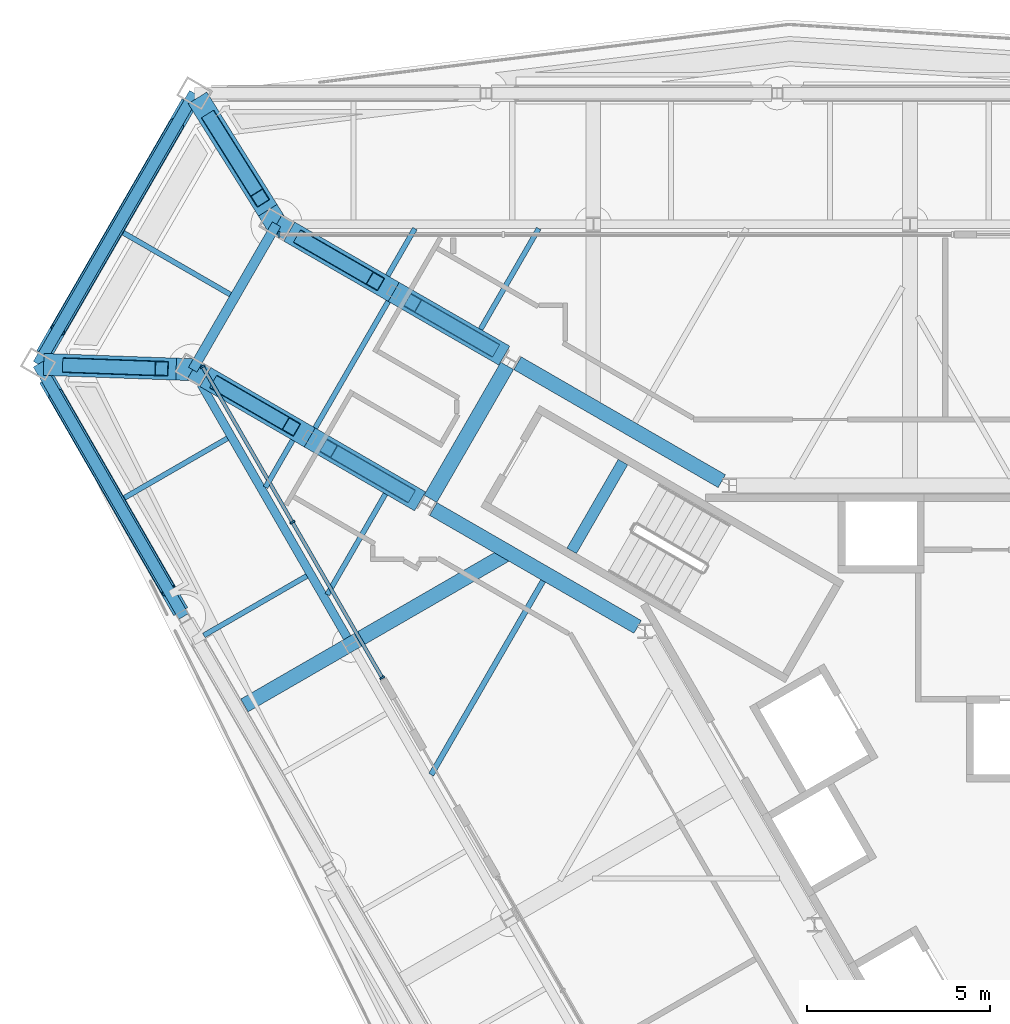
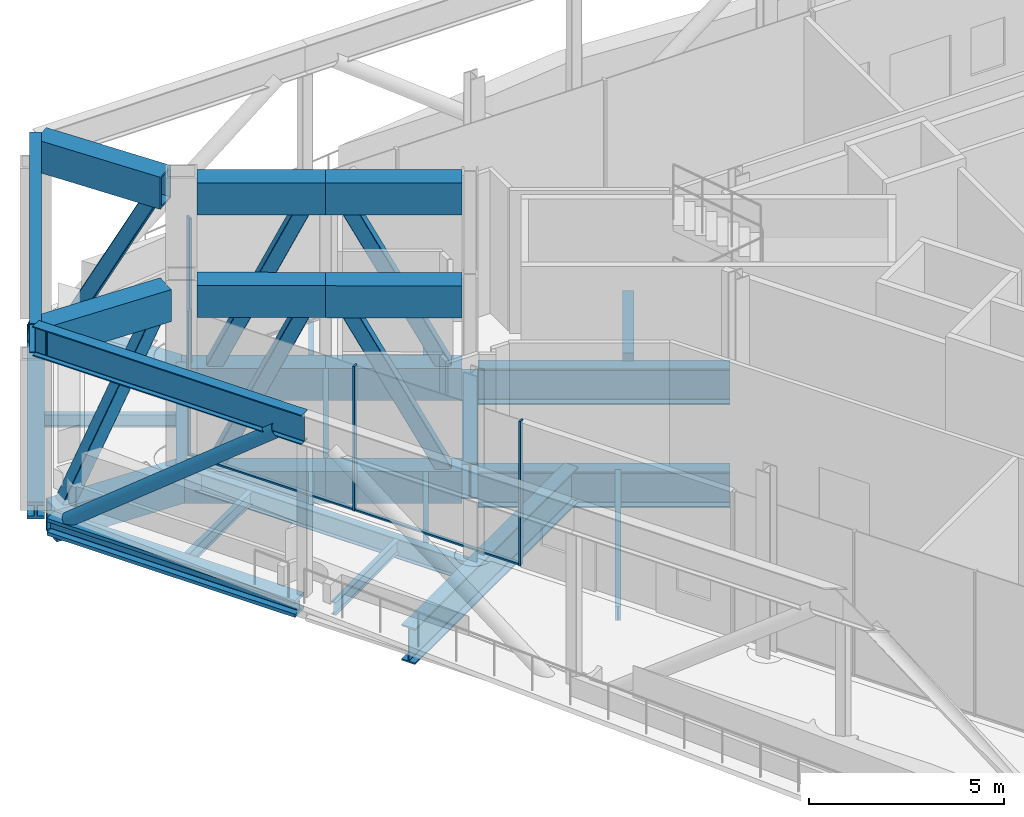
# One storey, part 9 of 24: 32 beams, 14 members, 2 elements without a shape of their own.
"""IFC4 building model written with IfcOpenShell, lengths in metres."""

from ifc_helpers import new_model, si_unit, direction, frame, origin, origin_2d, place, context, subcontext, project, spatial, rectangle, hollow_rectangle, hollow_circle, i_section, extrude, material, material_profile, profile_set, type_object, element, aggregate, save


model = new_model("IFC4")

# Units and contexts
model_context = context("Model", 3, precision=1e-05, world=origin(), true_north=direction((0.0, 1.0)))
body_context = subcontext(model_context, "Body", "Model", "MODEL_VIEW")
ifc_project = project(units=[si_unit("LENGTHUNIT", "METRE"), si_unit("AREAUNIT", "SQUARE_METRE"), si_unit("VOLUMEUNIT", "CUBIC_METRE"), si_unit("PLANEANGLEUNIT", "RADIAN"), si_unit("MASSUNIT", "GRAM", prefix="KILO")], contexts=[model_context])

# Site, building, storey
site_placement = place(None, origin())
site = spatial("IfcSite", under=ifc_project, at=site_placement, CompositionType="ELEMENT")
building_placement = place(site_placement, origin())
building = spatial("IfcBuilding", under=site, at=building_placement, Name="Verrane Prism Tower", CompositionType="ELEMENT")
storey_placement = place(building_placement, frame((0.0, 0.0, 200.60009765625)))
storey = spatial("IfcBuildingStorey", under=building, at=storey_placement, Name="L50", CompositionType="ELEMENT", Elevation=200.60009765625)

# Beams
ifc_material_1 = material(Name="Steel A992", Category="steel")
ifc_material_profile_1 = material_profile(ifc_material_1, i_section(OverallWidth=0.44189453125, OverallDepth=0.53076171875, WebThickness=0.06591796875, FlangeThickness=0.105712890625, FilletRadius=0.01513671875, at=origin_2d()), Name="W14x605")
ifc_profile_set_1 = profile_set([ifc_material_profile_1], Name="Steel A992")
beam_type_1 = type_object("IfcBeamType", Name="Belt truss chord W14x605", PredefinedType="BEAM", material=ifc_profile_set_1)
beam_1_placement = place(storey_placement, frame((-27.8994140625, 10.90966796875, -0.4248046875), z_axis=(0.49925671133, -0.866454116611, 0.0), x_axis=(0.866454116611, 0.49925671133, 0.0)))
element("IfcBeam", 1, at=beam_1_placement, inside=storey, type_object=beam_type_1, Name="Belt truss chord L50", PredefinedType="BEAM", context=body_context, shape_type="SweptSolid", body=[
    extrude(i_section(OverallWidth=0.44189453125, OverallDepth=0.53076171875, WebThickness=0.06591796875, FlangeThickness=0.105712890625, FilletRadius=0.01513671875, at=origin_2d()), origin(), (0.0, 0.0, 1.0), 7.337646484375),
])
beam_2_placement = place(storey_placement, frame((-24.010009765625, 18.4501953125, -0.4248046875), z_axis=(-0.499772118917, -0.86615693102, 0.0), x_axis=(0.86615693102, -0.499772118917, 0.0)))
element("IfcBeam", 2, at=beam_2_placement, inside=storey, type_object=beam_type_1, Name="Belt truss chord L50", PredefinedType="BEAM", context=body_context, shape_type="SweptSolid", body=[
    extrude(i_section(OverallWidth=0.44189453125, OverallDepth=0.53076171875, WebThickness=0.06591796875, FlangeThickness=0.105712890625, FilletRadius=0.01513671875, at=origin_2d()), origin(), (0.0, 0.0, 1.0), 7.943603515625),
])
ifc_material_2 = material(Name="Steel A992", Category="steel")
ifc_material_profile_2 = material_profile(ifc_material_2, i_section(OverallWidth=0.307373046875, OverallDepth=0.927001953125, WebThickness=0.01953125, FlangeThickness=0.031982421875, FilletRadius=0.01904296875, at=origin_2d()), Name="W36x194")
ifc_profile_set_2 = profile_set([ifc_material_profile_2], Name="Steel A992")
beam_type_2 = type_object("IfcBeamType", Name="Belt truss chord W36x194", PredefinedType="BEAM", material=ifc_profile_set_2)
beam_3_placement = place(storey_placement, frame((-28.1298828125, 11.31005859375, 5.176513671875), z_axis=(0.4992404173, -0.866463505137, 0.0), x_axis=(0.866463505137, 0.4992404173, 0.0)))
element("IfcBeam", 3, at=beam_3_placement, inside=storey, type_object=beam_type_2, Name="Belt truss chord L50", PredefinedType="BEAM", context=body_context, shape_type="SweptSolid", body=[
    extrude(i_section(OverallWidth=0.307373046875, OverallDepth=0.927001953125, WebThickness=0.01953125, FlangeThickness=0.031982421875, FilletRadius=0.01904296875, at=origin_2d()), origin(), (0.0, 0.0, 1.0), 7.951904296875),
])
beam_4_placement = place(storey_placement, frame((-23.860107421875, 18.7099609375, 5.176513671875), z_axis=(-0.499775228782, -0.866155136622, 0.0), x_axis=(0.866155136622, -0.499775228782, 0.0)))
element("IfcBeam", 4, at=beam_4_placement, inside=storey, type_object=beam_type_2, Name="Belt truss chord L50", PredefinedType="BEAM", context=body_context, shape_type="SweptSolid", body=[
    extrude(i_section(OverallWidth=0.307373046875, OverallDepth=0.927001953125, WebThickness=0.01953125, FlangeThickness=0.031982421875, FilletRadius=0.01904296875, at=origin_2d()), origin(), (0.0, 0.0, 1.0), 8.54345703125),
])

# Members
ifc_material_3 = material(Name="Steel A500 Grade C", Category="steel")
ifc_material_profile_3 = material_profile(ifc_material_3, hollow_circle(Radius=0.203125, WallThickness=0.0126953125, at=origin_2d()), Name="HSS16.000x0.500")
ifc_profile_set_3 = profile_set([ifc_material_profile_3], Name="Steel A500 Grade C")
member_type_1 = type_object("IfcMemberType", Name="Belt truss diagonal HSS16.000x0.500", PredefinedType="BRACE", material=ifc_profile_set_3)
member_1_placement = place(storey_placement, frame((-24.34423828125, 17.87060546875, -0.1591796875), z_axis=(-0.396481573999, -0.687083699021, 0.608866448426), x_axis=(0.866138038071, -0.499804860928, 0.0)))
element("IfcMember", 5, at=member_1_placement, inside=storey, type_object=member_type_1, Name="Belt truss diagonal L50", PredefinedType="BRACE", context=body_context, shape_type="SweptSolid", body=[
    extrude(hollow_circle(Radius=0.203125, WallThickness=0.0126953125, at=origin_2d()), origin(), (0.0, 0.0, 1.0), 8.1904296875),
])
member_2_placement = place(storey_placement, frame((-27.654296875, 10.484619140625, -0.1591796875), z_axis=(0.388773985342, -0.674788056398, 0.627308430729), x_axis=(0.86647824971, 0.499214826282, 0.0)))
element("IfcMember", 6, at=member_2_placement, inside=storey, type_object=member_type_1, Name="Belt truss diagonal L50", PredefinedType="BRACE", context=body_context, shape_type="SweptSolid", body=[
    extrude(hollow_circle(Radius=0.203125, WallThickness=0.0126953125, at=origin_2d()), origin(), (0.0, 0.0, 1.0), 7.949462890625),
])

# Beams
ifc_material_4 = material(Name="Steel A992", Category="steel")
ifc_material_profile_4 = material_profile(ifc_material_4, i_section(OverallWidth=0.2666015625, OverallDepth=0.7568359375, WebThickness=0.013916015625, FlangeThickness=0.019287109375, FilletRadius=0.0166015625, at=origin_2d()), Name="W30x108")
ifc_profile_set_4 = profile_set([ifc_material_profile_4], Name="Steel A992")
beam_type_3 = type_object("IfcBeamType", Name="Chamfer spandrel beam W30x108", PredefinedType="SPANDREL", material=ifc_profile_set_4)
beam_5_placement = place(storey_placement, frame((-21.6201171875, 15.1298828125, -0.53857421875), z_axis=(-0.499628679417, -0.86623967971, 0.0), x_axis=(0.86623967971, -0.499628679417, 0.0)))
element("IfcBeam", 7, at=beam_5_placement, inside=storey, type_object=beam_type_3, Name="Chamfer spandrel beam L50", PredefinedType="SPANDREL", context=body_context, shape_type="SweptSolid", body=[
    extrude(i_section(OverallWidth=0.2666015625, OverallDepth=0.7568359375, WebThickness=0.013916015625, FlangeThickness=0.019287109375, FilletRadius=0.0166015625, at=origin_2d()), origin(), (0.0, 0.0, 1.0), 4.5830078125),
])
ifc_material_5 = material(Name="Steel A992", Category="steel")
ifc_material_profile_5 = material_profile(ifc_material_5, i_section(OverallWidth=0.140380859375, OverallDepth=0.40380859375, WebThickness=0.007080078125, FlangeThickness=0.01123046875, FilletRadius=0.01025390625, at=origin_2d()), Name="W16x31")
ifc_profile_set_5 = profile_set([ifc_material_profile_5], Name="Steel A992")
beam_type_4 = type_object("IfcBeamType", Name="Floor beam W16x31", PredefinedType="BEAM", material=ifc_profile_set_5)
beam_6_placement = place(storey_placement, frame((-16.049072265625, 12.264404296875, -0.362060546875), z_axis=(0.500032968797, 0.866006368404, 0.0), x_axis=(-0.866006368404, 0.500032968797, 0.0)))
element("IfcBeam", 8, at=beam_6_placement, inside=storey, type_object=beam_type_4, Name="Floor beam L50", PredefinedType="BEAM", context=body_context, shape_type="SweptSolid", body=[
    extrude(i_section(OverallWidth=0.140380859375, OverallDepth=0.40380859375, WebThickness=0.007080078125, FlangeThickness=0.01123046875, FilletRadius=0.01025390625, at=origin_2d()), origin(), (0.0, 0.0, 1.0), 3.176025390625),
])
beam_7_placement = place(storey_placement, frame((-18.586181640625, 13.727294921875, -0.362060546875), z_axis=(0.500006734102, 0.866021515814, 0.0), x_axis=(-0.866021515814, 0.500006734102, 0.0)))
element("IfcBeam", 9, at=beam_7_placement, inside=storey, type_object=beam_type_4, Name="Floor beam L50", PredefinedType="BEAM", context=body_context, shape_type="SweptSolid", body=[
    extrude(i_section(OverallWidth=0.140380859375, OverallDepth=0.40380859375, WebThickness=0.007080078125, FlangeThickness=0.01123046875, FilletRadius=0.01025390625, at=origin_2d()), origin(), (0.0, 0.0, 1.0), 1.48681640625),
])
beam_8_placement = place(storey_placement, frame((-23.6064453125, 3.903564453125, -0.362060546875), z_axis=(0.866027848477, 0.499995765644, 0.0), x_axis=(-0.499995765644, 0.866027848477, 0.0)))
element("IfcBeam", 10, at=beam_8_placement, inside=storey, type_object=beam_type_4, Name="Floor beam L50", PredefinedType="BEAM", context=body_context, shape_type="SweptSolid", body=[
    extrude(i_section(OverallWidth=0.140380859375, OverallDepth=0.40380859375, WebThickness=0.007080078125, FlangeThickness=0.01123046875, FilletRadius=0.01025390625, at=origin_2d()), origin(), (0.0, 0.0, 1.0), 3.24755859375),
])
beam_9_placement = place(storey_placement, frame((-25.77294921875, 7.661865234375, -0.362060546875), z_axis=(0.866036573622, 0.499980652775, 0.0), x_axis=(-0.499980652775, 0.866036573622, 0.0)))
element("IfcBeam", 11, at=beam_9_placement, inside=storey, type_object=beam_type_4, Name="Floor beam L50", PredefinedType="BEAM", context=body_context, shape_type="SweptSolid", body=[
    extrude(i_section(OverallWidth=0.140380859375, OverallDepth=0.40380859375, WebThickness=0.007080078125, FlangeThickness=0.01123046875, FilletRadius=0.01025390625, at=origin_2d()), origin(), (0.0, 0.0, 1.0), 3.246826171875),
])
beam_10_placement = place(storey_placement, frame((-20.234130859375, 5.016845703125, -0.362060546875), z_axis=(0.500002074818, 0.866024205884, 0.0), x_axis=(-0.866024205884, 0.500002074818, 0.0)))
element("IfcBeam", 12, at=beam_10_placement, inside=storey, type_object=beam_type_4, Name="Floor beam L50", PredefinedType="BEAM", context=body_context, shape_type="SweptSolid", body=[
    extrude(i_section(OverallWidth=0.140380859375, OverallDepth=0.40380859375, WebThickness=0.007080078125, FlangeThickness=0.01123046875, FilletRadius=0.01025390625, at=origin_2d()), origin(), (0.0, 0.0, 1.0), 3.17431640625),
])
beam_11_placement = place(storey_placement, frame((-21.92333984375, 7.94580078125, -0.362060546875), z_axis=(0.499902584933, 0.866081639095, 0.0), x_axis=(-0.866081639095, 0.499902584933, 0.0)))
element("IfcBeam", 13, at=beam_11_placement, inside=storey, type_object=beam_type_4, Name="Floor beam L50", PredefinedType="BEAM", context=body_context, shape_type="SweptSolid", body=[
    extrude(i_section(OverallWidth=0.140380859375, OverallDepth=0.40380859375, WebThickness=0.007080078125, FlangeThickness=0.01123046875, FilletRadius=0.01025390625, at=origin_2d()), origin(), (0.0, 0.0, 1.0), 1.486083984375),
])
beam_12_placement = place(storey_placement, frame((-22.880615234375, 13.2119140625, -0.362060546875), z_axis=(-0.866044658551, 0.499966648284, 0.0), x_axis=(-0.499966648284, -0.866044658551, 0.0)))
element("IfcBeam", 14, at=beam_12_placement, inside=storey, type_object=beam_type_4, Name="Floor beam L50", PredefinedType="BEAM", context=body_context, shape_type="SweptSolid", body=[
    extrude(i_section(OverallWidth=0.140380859375, OverallDepth=0.40380859375, WebThickness=0.007080078125, FlangeThickness=0.01123046875, FilletRadius=0.01025390625, at=origin_2d()), origin(), (0.0, 0.0, 1.0), 3.375244140625),
])
beam_13_placement = place(storey_placement, frame((-20.56494140625, 9.56982421875, -0.362060546875), z_axis=(0.499989060909, 0.866031719379, 0.0), x_axis=(-0.866031719379, 0.499989060909, 0.0)))
element("IfcBeam", 15, at=beam_13_placement, inside=storey, type_object=beam_type_4, Name="Floor beam L50", PredefinedType="BEAM", context=body_context, shape_type="SweptSolid", body=[
    extrude(i_section(OverallWidth=0.140380859375, OverallDepth=0.40380859375, WebThickness=0.007080078125, FlangeThickness=0.01123046875, FilletRadius=0.01025390625, at=origin_2d()), origin(), (0.0, 0.0, 1.0), 3.98974609375),
])
ifc_material_6 = material(Name="Steel A992", Category="steel")
ifc_material_profile_6 = material_profile(ifc_material_6, i_section(OverallWidth=0.15234375, OverallDepth=0.449462890625, WebThickness=0.007568359375, FlangeThickness=0.0107421875, FilletRadius=0.01025390625, at=origin_2d()), Name="W18x35")
ifc_profile_set_6 = profile_set([ifc_material_profile_6], Name="Steel A992")
beam_type_5 = type_object("IfcBeamType", Name="Floor beam W18x35", PredefinedType="BEAM", material=ifc_profile_set_6)
beam_14_placement = place(storey_placement, frame((-17.3974609375, 0.098876953125, -0.385009765625), z_axis=(0.500006018292, 0.866021929094, 0.0), x_axis=(-0.866021929094, 0.500006018292, 0.0)))
element("IfcBeam", 16, at=beam_14_placement, inside=storey, type_object=beam_type_5, Name="Floor beam L50", PredefinedType="BEAM", context=body_context, shape_type="SweptSolid", body=[
    extrude(i_section(OverallWidth=0.15234375, OverallDepth=0.449462890625, WebThickness=0.007568359375, FlangeThickness=0.0107421875, FilletRadius=0.01025390625, at=origin_2d()), origin(), (0.0, 0.0, 1.0), 6.111328125),
])

# Curtain wall, members
ifc_material_7 = material(Name="Aluminium framed insulated glazing", Category="aluminium")
curtain_wall_type_1 = type_object("IfcCurtainWallType", Name="Curtain wall CW-C 4200 module", PredefinedType="NOTDEFINED", material=ifc_material_7)
curtain_wall_1_placement = place(storey_placement, origin())
curtain_wall_1 = element("IfcCurtainWall", 17, at=curtain_wall_1_placement, inside=storey, type_object=curtain_wall_type_1, Name="Refuge lounge glazing south-west face L50 1", PredefinedType="NOTDEFINED")
ifc_material_8 = material(Name="Aluminium alloy 6063-T6", Category="aluminium")
ifc_material_profile_7 = material_profile(ifc_material_8, rectangle(XDim=0.139892578125, YDim=0.050048828125, at=origin_2d()), Name="Mullion 50x140 aluminium")
ifc_profile_set_7 = profile_set([ifc_material_profile_7], Name="Aluminium alloy 6063-T6")
member_type_2 = type_object("IfcMemberType", Name="Mullion 50x140 aluminium", PredefinedType="MULLION", material=ifc_profile_set_7)
member_3_placement = place(storey_placement, frame((-23.638916015625, 11.241943359375, 0.0), z_axis=(0.0, 0.0, 1.0), x_axis=(0.866023912117, 0.500002583634, 0.0)))
member_3 = element("IfcMember", 18, at=member_3_placement, type_object=member_type_2, Name="CW50.4.1 mullion 1", PredefinedType="MULLION", context=body_context, shape_type="SweptSolid", body=[
    extrude(rectangle(XDim=0.139892578125, YDim=0.050048828125, at=origin_2d()), origin(), (0.0, 0.0, 1.0), 4.522216796875),
])
member_4_placement = place(storey_placement, frame((-21.18701171875, 6.9951171875, 0.0), z_axis=(0.0, 0.0, 1.0), x_axis=(0.866023912117, 0.500002583634, 0.0)))
member_4 = element("IfcMember", 19, at=member_4_placement, type_object=member_type_2, Name="CW50.4.1 mullion 2", PredefinedType="MULLION", context=body_context, shape_type="SweptSolid", body=[
    extrude(rectangle(XDim=0.139892578125, YDim=0.050048828125, at=origin_2d()), origin(), (0.0, 0.0, 1.0), 4.522216796875),
])
member_5_placement = place(storey_placement, frame((-18.735107421875, 2.74853515625, 0.0), z_axis=(0.0, 0.0, 1.0), x_axis=(0.866023912117, 0.500002583634, 0.0)))
member_5 = element("IfcMember", 20, at=member_5_placement, type_object=member_type_2, Name="CW50.4.1 mullion 3", PredefinedType="MULLION", context=body_context, shape_type="SweptSolid", body=[
    extrude(rectangle(XDim=0.139892578125, YDim=0.050048828125, at=origin_2d()), origin(), (0.0, 0.0, 1.0), 4.522216796875),
])

# Curtain wall, member
ifc_material_9 = material(Name="Aluminium framed insulated glazing", Category="aluminium")
curtain_wall_type_2 = type_object("IfcCurtainWallType", Name="Curtain wall CW-B 5600 module", PredefinedType="NOTDEFINED", material=ifc_material_9)
curtain_wall_2_placement = place(storey_placement, origin())
curtain_wall_2 = element("IfcCurtainWall", 21, at=curtain_wall_2_placement, inside=storey, type_object=curtain_wall_type_2, Name="Refuge lounge glazing north face L50 2", PredefinedType="NOTDEFINED")
ifc_material_10 = material(Name="Aluminium alloy 6063-T6", Category="aluminium")
ifc_material_profile_8 = material_profile(ifc_material_10, rectangle(XDim=0.159912109375, YDim=0.06005859375, at=origin_2d()), Name="Mullion 60x160 aluminium")
ifc_profile_set_8 = profile_set([ifc_material_profile_8], Name="Aluminium alloy 6063-T6")
member_type_3 = type_object("IfcMemberType", Name="Mullion 60x160 aluminium", PredefinedType="MULLION", material=ifc_profile_set_8)
member_6_placement = place(storey_placement, frame((-21.550048828125, 14.85107421875, 0.0), z_axis=(0.0, 0.0, 1.0), x_axis=(0.0, -1.0, 0.0)))
member_6 = element("IfcMember", 22, at=member_6_placement, type_object=member_type_3, Name="CW50.2.2 mullion 4", PredefinedType="MULLION", context=body_context, shape_type="SweptSolid", body=[
    extrude(rectangle(XDim=0.159912109375, YDim=0.06005859375, at=origin_2d()), origin(), (0.0, 0.0, 1.0), 4.522216796875),
])
aggregate(curtain_wall_2, [member_6])

# Beams
ifc_material_11 = material(Name="Steel A572 Grade 50", Category="steel")
ifc_material_profile_9 = material_profile(ifc_material_11, hollow_rectangle(XDim=0.60009765625, YDim=1.0, WallThickness=0.06005859375, at=origin_2d()), Name="BOX 1000x600x60")
ifc_profile_set_9 = profile_set([ifc_material_profile_9], Name="Steel A572 Grade 50")
beam_type_6 = type_object("IfcBeamType", Name="Outrigger truss chord BOX 1000x600x60", PredefinedType="BEAM", material=ifc_profile_set_9)
beam_15_placement = place(storey_placement, frame((-23.619873046875, 18.326171875, -0.66015625), z_axis=(0.530394678022, -0.847750839295, 0.0), x_axis=(0.847750839295, 0.530394678022, 0.0)))
element("IfcBeam", 23, at=beam_15_placement, inside=storey, type_object=beam_type_6, Name="Outrigger truss chord L50", PredefinedType="BEAM", context=body_context, shape_type="SweptSolid", body=[
    extrude(hollow_rectangle(XDim=0.60009765625, YDim=1.0, WallThickness=0.06005859375, at=origin_2d()), origin(), (0.0, 0.0, 1.0), 3.770263671875),
])
beam_16_placement = place(storey_placement, frame((-21.6201171875, 15.1298828125, -0.66015625), z_axis=(0.866337389553, -0.499459235036, 0.0), x_axis=(0.499459235036, 0.866337389553, 0.0)))
element("IfcBeam", 24, at=beam_16_placement, inside=storey, type_object=beam_type_6, Name="Outrigger truss chord L50", PredefinedType="BEAM", context=body_context, shape_type="SweptSolid", body=[
    extrude(hollow_rectangle(XDim=0.60009765625, YDim=1.0, WallThickness=0.06005859375, at=origin_2d()), origin(), (0.0, 0.0, 1.0), 3.69384765625),
])
beam_17_placement = place(storey_placement, frame((-18.419921875, 13.284912109375, -0.66015625), z_axis=(0.866318493487, -0.499492009788, 0.0), x_axis=(0.499492009788, 0.866318493487, 0.0)))
element("IfcBeam", 25, at=beam_17_placement, inside=storey, type_object=beam_type_6, Name="Outrigger truss chord L50", PredefinedType="BEAM", context=body_context, shape_type="SweptSolid", body=[
    extrude(hollow_rectangle(XDim=0.60009765625, YDim=1.0, WallThickness=0.06005859375, at=origin_2d()), origin(), (0.0, 0.0, 1.0), 3.485595703125),
])
beam_18_placement = place(storey_placement, frame((-23.780517578125, 18.582763671875, 5.139892578125), z_axis=(0.530471685248, -0.847702654915, 0.0), x_axis=(0.847702654915, 0.530471685248, 0.0)))
element("IfcBeam", 26, at=beam_18_placement, inside=storey, type_object=beam_type_6, Name="Outrigger truss chord L50", PredefinedType="BEAM", context=body_context, shape_type="SweptSolid", body=[
    extrude(hollow_rectangle(XDim=0.60009765625, YDim=1.0, WallThickness=0.06005859375, at=origin_2d()), origin(), (0.0, 0.0, 1.0), 3.6201171875),
])
beam_19_placement = place(storey_placement, frame((-21.2734375, 14.93017578125, 5.139892578125), z_axis=(0.866316356648, -0.499495715901, 0.0), x_axis=(0.499495715901, 0.866316356648, 0.0)))
element("IfcBeam", 27, at=beam_19_placement, inside=storey, type_object=beam_type_6, Name="Outrigger truss chord L50", PredefinedType="BEAM", context=body_context, shape_type="SweptSolid", body=[
    extrude(hollow_rectangle(XDim=0.60009765625, YDim=1.0, WallThickness=0.06005859375, at=origin_2d()), origin(), (0.0, 0.0, 1.0), 3.2939453125),
])
beam_20_placement = place(storey_placement, frame((-18.419921875, 13.284912109375, 5.139892578125), z_axis=(0.866318493487, -0.499492009788, 0.0), x_axis=(0.499492009788, 0.866318493487, 0.0)))
element("IfcBeam", 28, at=beam_20_placement, inside=storey, type_object=beam_type_6, Name="Outrigger truss chord L50", PredefinedType="BEAM", context=body_context, shape_type="SweptSolid", body=[
    extrude(hollow_rectangle(XDim=0.60009765625, YDim=1.0, WallThickness=0.06005859375, at=origin_2d()), origin(), (0.0, 0.0, 1.0), 3.485595703125),
])
beam_21_placement = place(storey_placement, frame((-27.677490234375, 11.2939453125, -0.66015625), z_axis=(0.999367794504, -0.035552936702, 0.0), x_axis=(0.035552936702, 0.999367794504, 0.0)))
element("IfcBeam", 29, at=beam_21_placement, inside=storey, type_object=beam_type_6, Name="Outrigger truss chord L50", PredefinedType="BEAM", context=body_context, shape_type="SweptSolid", body=[
    extrude(hollow_rectangle(XDim=0.60009765625, YDim=1.0, WallThickness=0.06005859375, at=origin_2d()), origin(), (0.0, 0.0, 1.0), 3.77001953125),
])
beam_22_placement = place(storey_placement, frame((-23.909912109375, 11.159912109375, -0.66015625), z_axis=(0.865400627406, -0.501080586417, 0.0), x_axis=(0.501080586417, 0.865400627406, 0.0)))
element("IfcBeam", 30, at=beam_22_placement, inside=storey, type_object=beam_type_6, Name="Outrigger truss chord L50", PredefinedType="BEAM", context=body_context, shape_type="SweptSolid", body=[
    extrude(hollow_rectangle(XDim=0.60009765625, YDim=1.0, WallThickness=0.06005859375, at=origin_2d()), origin(), (0.0, 0.0, 1.0), 3.691650390625),
])
beam_23_placement = place(storey_placement, frame((-20.715087890625, 9.31005859375, -0.66015625), z_axis=(0.865408692438, -0.501066657295, 0.0), x_axis=(0.501066657295, 0.865408692438, 0.0)))
element("IfcBeam", 31, at=beam_23_placement, inside=storey, type_object=beam_type_6, Name="Outrigger truss chord L50", PredefinedType="BEAM", context=body_context, shape_type="SweptSolid", body=[
    extrude(hollow_rectangle(XDim=0.60009765625, YDim=1.0, WallThickness=0.06005859375, at=origin_2d()), origin(), (0.0, 0.0, 1.0), 3.48388671875),
])
beam_24_placement = place(storey_placement, frame((-27.97998046875, 11.3046875, 5.139892578125), z_axis=(0.999368084708, -0.035544778338, 0.0), x_axis=(0.035544778338, 0.999368084708, 0.0)))
element("IfcBeam", 32, at=beam_24_placement, inside=storey, type_object=beam_type_6, Name="Outrigger truss chord L50", PredefinedType="BEAM", context=body_context, shape_type="SweptSolid", body=[
    extrude(hollow_rectangle(XDim=0.60009765625, YDim=1.0, WallThickness=0.06005859375, at=origin_2d()), origin(), (0.0, 0.0, 1.0), 3.61962890625),
])
beam_25_placement = place(storey_placement, frame((-23.563720703125, 10.959716796875, 5.139892578125), z_axis=(0.865367039081, -0.501138591282, 0.0), x_axis=(0.501138591282, 0.865367039081, 0.0)))
element("IfcBeam", 33, at=beam_25_placement, inside=storey, type_object=beam_type_6, Name="Outrigger truss chord L50", PredefinedType="BEAM", context=body_context, shape_type="SweptSolid", body=[
    extrude(hollow_rectangle(XDim=0.60009765625, YDim=1.0, WallThickness=0.06005859375, at=origin_2d()), origin(), (0.0, 0.0, 1.0), 3.291748046875),
])
beam_26_placement = place(storey_placement, frame((-20.715087890625, 9.31005859375, 5.139892578125), z_axis=(0.865408692438, -0.501066657295, 0.0), x_axis=(0.501066657295, 0.865408692438, 0.0)))
element("IfcBeam", 34, at=beam_26_placement, inside=storey, type_object=beam_type_6, Name="Outrigger truss chord L50", PredefinedType="BEAM", context=body_context, shape_type="SweptSolid", body=[
    extrude(hollow_rectangle(XDim=0.60009765625, YDim=1.0, WallThickness=0.06005859375, at=origin_2d()), origin(), (0.0, 0.0, 1.0), 3.48388671875),
])

# Members
ifc_material_12 = material(Name="Steel A500 Grade C", Category="steel")
ifc_material_profile_10 = material_profile(ifc_material_12, hollow_rectangle(XDim=0.406494140625, YDim=0.406494140625, WallThickness=0.01904296875, InnerFilletRadius=0.009521484375, OuterFilletRadius=0.028564453125, at=origin_2d()), Name="HSS16x16x3/4")
ifc_profile_set_10 = profile_set([ifc_material_profile_10], Name="Steel A500 Grade C")
member_type_4 = type_object("IfcMemberType", Name="Outrigger truss diagonal HSS16x16x3/4", PredefinedType="BRACE", material=ifc_profile_set_10)
member_7_placement = place(storey_placement, frame((-23.40966796875, 17.990234375, -0.22021484375), z_axis=(0.242185099751, -0.38707235775, 0.889674866074), x_axis=(0.847737476757, 0.530416035298, 0.0)))
element("IfcMember", 35, at=member_7_placement, inside=storey, type_object=member_type_4, Name="Outrigger truss diagonal L50", PredefinedType="BRACE", context=body_context, shape_type="SweptSolid", body=[
    extrude(hollow_rectangle(XDim=0.406494140625, YDim=0.406494140625, WallThickness=0.01904296875, InnerFilletRadius=0.009521484375, OuterFilletRadius=0.028564453125, at=origin_2d()), origin(), (0.0, 0.0, 1.0), 5.5302734375),
])
member_8_placement = place(storey_placement, frame((-20.903076171875, 14.716552734375, -0.22021484375), z_axis=(0.365041803119, -0.210466039594, 0.906889479569), x_axis=(0.499482055714, 0.866324232617, 0.0)))
element("IfcMember", 36, at=member_8_placement, inside=storey, type_object=member_type_4, Name="Outrigger truss diagonal L50", PredefinedType="BRACE", context=body_context, shape_type="SweptSolid", body=[
    extrude(hollow_rectangle(XDim=0.406494140625, YDim=0.406494140625, WallThickness=0.01904296875, InnerFilletRadius=0.009521484375, OuterFilletRadius=0.028564453125, at=origin_2d()), origin(), (0.0, 0.0, 1.0), 5.42529296875),
])
member_9_placement = place(storey_placement, frame((-15.783447265625, 11.764892578125, -0.22021484375), z_axis=(-0.385990173055, 0.222558495455, 0.895253764251), x_axis=(-0.499506656897, -0.866310048259, 0.0)))
element("IfcMember", 37, at=member_9_placement, inside=storey, type_object=member_type_4, Name="Outrigger truss diagonal L50", PredefinedType="BRACE", context=body_context, shape_type="SweptSolid", body=[
    extrude(hollow_rectangle(XDim=0.406494140625, YDim=0.406494140625, WallThickness=0.01904296875, InnerFilletRadius=0.009521484375, OuterFilletRadius=0.028564453125, at=origin_2d()), origin(), (0.0, 0.0, 1.0), 5.495849609375),
])
member_10_placement = place(storey_placement, frame((-27.281494140625, 11.27978515625, -0.22021484375), z_axis=(0.456261232224, -0.016202019567, 0.889698366038), x_axis=(0.035488033594, 0.99937010135, 0.0)))
element("IfcMember", 38, at=member_10_placement, inside=storey, type_object=member_type_4, Name="Outrigger truss diagonal L50", PredefinedType="BRACE", context=body_context, shape_type="SweptSolid", body=[
    extrude(hollow_rectangle(XDim=0.406494140625, YDim=0.406494140625, WallThickness=0.01904296875, InnerFilletRadius=0.009521484375, OuterFilletRadius=0.028564453125, at=origin_2d()), origin(), (0.0, 0.0, 1.0), 5.530029296875),
])
member_11_placement = place(storey_placement, frame((-23.19384765625, 10.745361328125, -0.22021484375), z_axis=(0.364454072205, -0.211030519211, 0.906994679816), x_axis=(0.501091032423, 0.865394578921, 0.0)))
element("IfcMember", 39, at=member_11_placement, inside=storey, type_object=member_type_4, Name="Outrigger truss diagonal L50", PredefinedType="BRACE", context=body_context, shape_type="SweptSolid", body=[
    extrude(hollow_rectangle(XDim=0.406494140625, YDim=0.406494140625, WallThickness=0.01904296875, InnerFilletRadius=0.009521484375, OuterFilletRadius=0.028564453125, at=origin_2d()), origin(), (0.0, 0.0, 1.0), 5.4248046875),
])
member_12_placement = place(storey_placement, frame((-18.082763671875, 7.785888671875, -0.22021484375), z_axis=(-0.385411100855, 0.223160802259, 0.895353304385), x_axis=(-0.501083458137, -0.86539896463, 0.0)))
element("IfcMember", 40, at=member_12_placement, inside=storey, type_object=member_type_4, Name="Outrigger truss diagonal L50", PredefinedType="BRACE", context=body_context, shape_type="SweptSolid", body=[
    extrude(hollow_rectangle(XDim=0.406494140625, YDim=0.406494140625, WallThickness=0.01904296875, InnerFilletRadius=0.009521484375, OuterFilletRadius=0.028564453125, at=origin_2d()), origin(), (0.0, 0.0, 1.0), 5.4951171875),
])

# Beams
ifc_material_13 = material(Name="Steel A992", Category="steel")
ifc_material_profile_11 = material_profile(ifc_material_13, i_section(OverallWidth=0.23046875, OverallDepth=0.6171875, WebThickness=0.01318359375, FlangeThickness=0.022216796875, FilletRadius=0.012939453125, at=origin_2d()), Name="W24x94")
ifc_profile_set_11 = profile_set([ifc_material_profile_11], Name="Steel A992")
beam_type_7 = type_object("IfcBeamType", Name="Spandrel beam W24x94", PredefinedType="SPANDREL", material=ifc_profile_set_11)
beam_27_placement = place(storey_placement, frame((-23.67919921875, 10.759765625, -0.46875), z_axis=(0.499628915067, -0.866239543792, 0.0), x_axis=(0.866239543792, 0.499628915067, 0.0)))
element("IfcBeam", 41, at=beam_27_placement, inside=storey, type_object=beam_type_7, Name="Spandrel beam L50", PredefinedType="SPANDREL", context=body_context, shape_type="SweptSolid", body=[
    extrude(i_section(OverallWidth=0.23046875, OverallDepth=0.6171875, WebThickness=0.01318359375, FlangeThickness=0.022216796875, FilletRadius=0.012939453125, at=origin_2d()), origin(), (0.0, 0.0, 1.0), 7.98388671875),
])
ifc_material_14 = material(Name="Concrete C40/50", Category="concrete")
ifc_material_profile_12 = material_profile(ifc_material_14, rectangle(XDim=0.300048828125, YDim=0.25, at=origin_2d()), Name="RC 300x250")
ifc_profile_set_12 = profile_set([ifc_material_profile_12], Name="Concrete C40/50")
beam_type_8 = type_object("IfcBeamType", Name="Stair landing trimmer beam 300x250 concrete C40/50", PredefinedType="BEAM", material=ifc_profile_set_12)
beam_28_placement = place(storey_placement, frame((-13.560546875, 6.212646484375, 2.574951171875), z_axis=(0.500049511043, 0.865996816683, 0.0), x_axis=(-0.865996816683, 0.500049511043, 0.0)))
element("IfcBeam", 42, at=beam_28_placement, inside=storey, type_object=beam_type_8, Name="Stair 2 landing trimmer beam", PredefinedType="BEAM", context=body_context, shape_type="SweptSolid", body=[
    extrude(rectangle(XDim=0.300048828125, YDim=0.25, at=origin_2d()), origin(), (0.0, 0.0, 1.0), 2.800048828125),
])
ifc_material_15 = material(Name="Steel A992", Category="steel")
ifc_material_profile_13 = material_profile(ifc_material_15, i_section(OverallWidth=0.40380859375, OverallDepth=1.11767578125, WebThickness=0.026123046875, FlangeThickness=0.044921875, FilletRadius=0.02001953125, at=origin_2d()), Name="W44x335")
ifc_profile_set_13 = profile_set([ifc_material_profile_13], Name="Steel A992")
beam_type_9 = type_object("IfcBeamType", Name="Transfer girder W44x335", PredefinedType="BEAM", material=ifc_profile_set_13)
beam_29_placement = place(storey_placement, frame((-9.460693359375, 8.11572265625, -0.808837890625), z_axis=(-0.866075143088, 0.499913839102, 0.0), x_axis=(-0.499913839102, -0.866075143088, 0.0)))
element("IfcBeam", 43, at=beam_29_placement, inside=storey, type_object=beam_type_9, Name="Transfer girder L50", PredefinedType="BEAM", context=body_context, shape_type="SweptSolid", body=[
    extrude(i_section(OverallWidth=0.40380859375, OverallDepth=1.11767578125, WebThickness=0.026123046875, FlangeThickness=0.044921875, FilletRadius=0.02001953125, at=origin_2d()), origin(), (0.0, 0.0, 1.0), 6.441650390625),
])
beam_30_placement = place(storey_placement, frame((-15.32177734375, 11.26416015625, -0.808837890625), z_axis=(-0.500305747711, -0.865848808284, 0.0), x_axis=(0.865848808284, -0.500305747711, 0.0)))
element("IfcBeam", 44, at=beam_30_placement, inside=storey, type_object=beam_type_9, Name="Transfer girder L50", PredefinedType="BEAM", context=body_context, shape_type="SweptSolid", body=[
    extrude(i_section(OverallWidth=0.40380859375, OverallDepth=1.11767578125, WebThickness=0.026123046875, FlangeThickness=0.044921875, FilletRadius=0.02001953125, at=origin_2d()), origin(), (0.0, 0.0, 1.0), 4.1904296875),
])
beam_31_placement = place(storey_placement, frame((-17.339599609375, 7.35595703125, -0.808837890625), z_axis=(0.866075143088, -0.499913839102, 0.0), x_axis=(0.499913839102, 0.866075143088, 0.0)))
element("IfcBeam", 45, at=beam_31_placement, inside=storey, type_object=beam_type_9, Name="Transfer girder L50", PredefinedType="BEAM", context=body_context, shape_type="SweptSolid", body=[
    extrude(i_section(OverallWidth=0.40380859375, OverallDepth=1.11767578125, WebThickness=0.026123046875, FlangeThickness=0.044921875, FilletRadius=0.02001953125, at=origin_2d()), origin(), (0.0, 0.0, 1.0), 6.441650390625),
])
beam_32_placement = place(storey_placement, frame((-22.49853515625, 1.99072265625, -0.718994140625), z_axis=(0.866030639775, 0.499990930889, 0.0), x_axis=(-0.499990930889, 0.866030639775, 0.0)))
element("IfcBeam", 46, at=beam_32_placement, inside=storey, type_object=beam_type_9, Name="Transfer girder L50", PredefinedType="BEAM", context=body_context, shape_type="SweptSolid", body=[
    extrude(i_section(OverallWidth=0.40380859375, OverallDepth=1.11767578125, WebThickness=0.026123046875, FlangeThickness=0.044921875, FilletRadius=0.02001953125, at=origin_2d()), origin(), (0.0, 0.0, 1.0), 8.343994140625),
])

# Member
ifc_material_16 = material(Name="Aluminium alloy 6063-T6", Category="aluminium")
ifc_material_profile_14 = material_profile(ifc_material_16, rectangle(XDim=0.10009765625, YDim=0.050048828125, at=origin_2d()), Name="Transom 50x100 aluminium")
ifc_profile_set_14 = profile_set([ifc_material_profile_14], Name="Aluminium alloy 6063-T6")
member_type_5 = type_object("IfcMemberType", Name="Transom 50x100 aluminium", PredefinedType="USERDEFINED", material=ifc_profile_set_14)
member_13_placement = place(storey_placement, frame((-23.62646484375, 11.22021484375, 0.02490234375), z_axis=(0.500028686188, -0.866008841173, 0.0), x_axis=(0.866008841173, 0.500028686188, 0.0)))
member_13 = element("IfcMember", 47, at=member_13_placement, type_object=member_type_5, Name="CW50.4.1 transom 1", ObjectType="TRANSOM", PredefinedType="USERDEFINED", context=body_context, shape_type="SweptSolid", body=[
    extrude(rectangle(XDim=0.10009765625, YDim=0.050048828125, at=origin_2d()), origin(), (0.0, 0.0, 1.0), 4.853759765625),
])

member_14_placement = place(storey_placement, frame((-21.174560546875, 6.973388671875, 0.02490234375), z_axis=(0.49999096148, -0.866030622113, 0.0), x_axis=(0.866030622113, 0.49999096148, 0.0)))
member_14 = element("IfcMember", 48, at=member_14_placement, type_object=member_type_5, Name="CW50.4.1 transom 2", ObjectType="TRANSOM", PredefinedType="USERDEFINED", context=body_context, shape_type="SweptSolid", body=[
    extrude(rectangle(XDim=0.10009765625, YDim=0.050048828125, at=origin_2d()), origin(), (0.0, 0.0, 1.0), 4.853515625),
])

aggregate(curtain_wall_1, [member_3, member_4, member_5, member_13, member_14])

save(model, "model.ifc")
